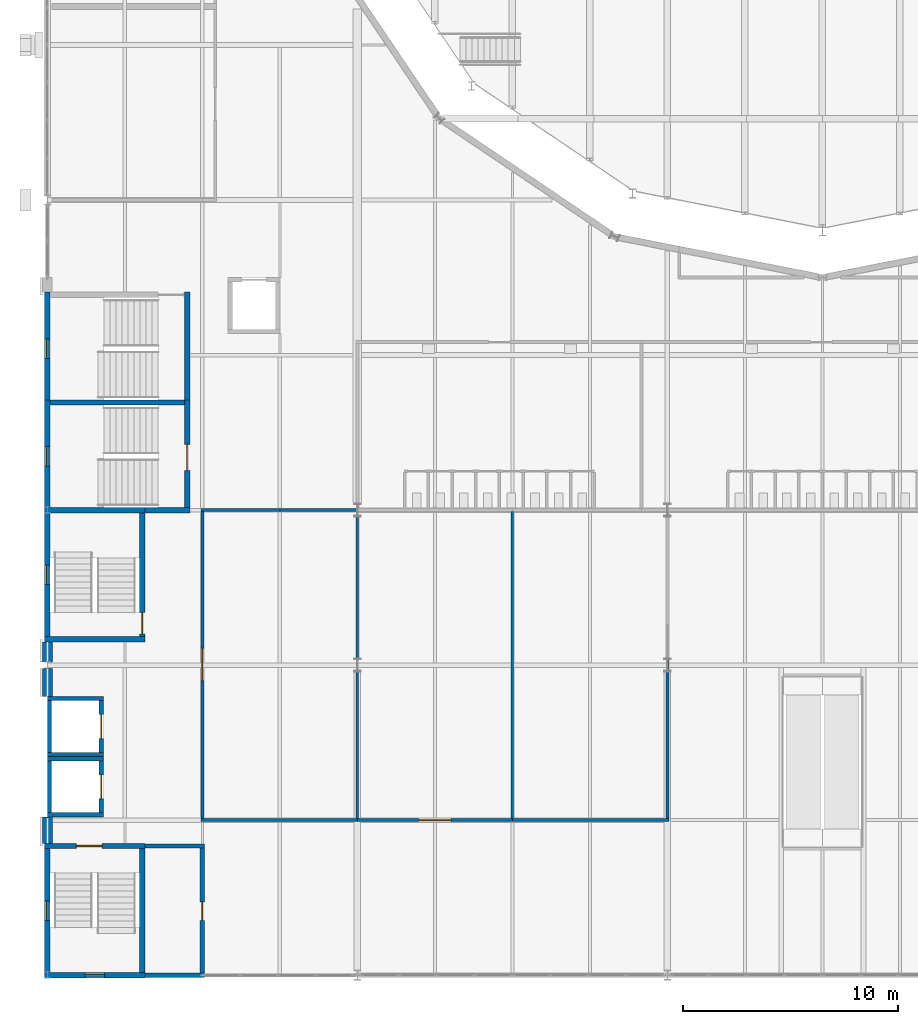
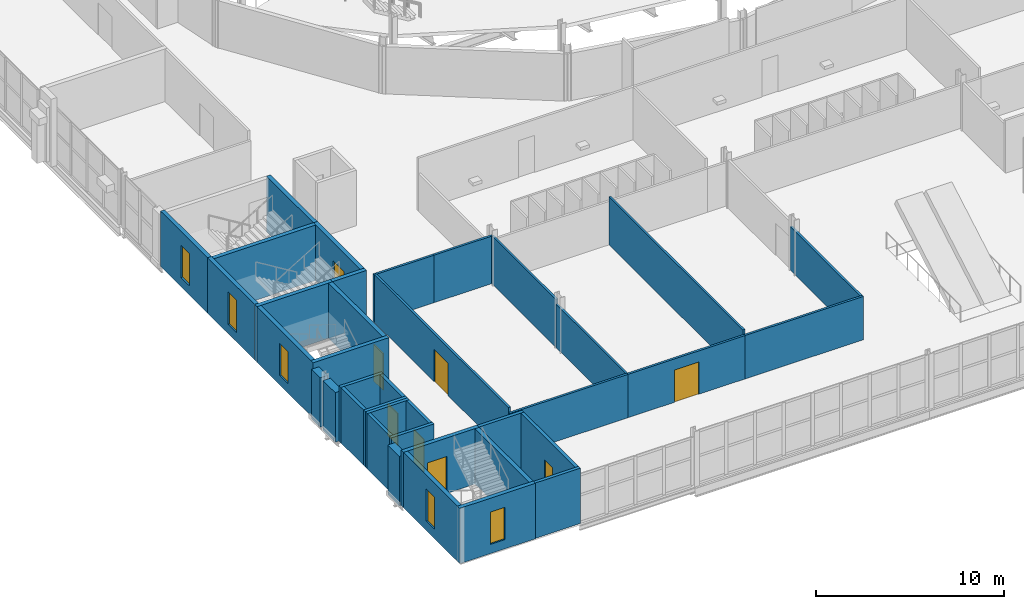
# One storey, part 63 of 124: 38 walls, 8 doors, 5 windows, 13 openings.
"""IFC4 building model written with IfcOpenShell, lengths in metres."""

from ifc_helpers import new_model, si_unit, direction, frame, frame_2d, origin, place, context, subcontext, project, spatial, rectangle, extrude, material, layer, layer_set, type_object, element, fill, save


model = new_model("IFC4")

# Units and contexts
model_context = context("Model", 3, precision=1e-05, world=origin(), true_north=direction((0.0, 1.0)))
body_context = subcontext(model_context, "Body", "Model", "MODEL_VIEW")
ifc_project = project(units=[si_unit("LENGTHUNIT", "METRE"), si_unit("AREAUNIT", "SQUARE_METRE"), si_unit("VOLUMEUNIT", "CUBIC_METRE"), si_unit("PLANEANGLEUNIT", "RADIAN"), si_unit("MASSUNIT", "GRAM", prefix="KILO")], contexts=[model_context])

# Site, building, storey
site_placement = place(None, origin())
site = spatial("IfcSite", under=ifc_project, at=site_placement, CompositionType="ELEMENT")
building_placement = place(site_placement, origin())
building = spatial("IfcBuilding", under=site, at=building_placement, Name="Kupolbacken Congress Centre", CompositionType="ELEMENT")
storey_placement = place(building_placement, frame((0.0, 0.0, 10.800048828125)))
storey = spatial("IfcBuildingStorey", under=building, at=storey_placement, Name="L03", CompositionType="ELEMENT", Elevation=10.800048828125)

# Walls
ifc_material_1 = material(Name="Concrete C40/50", Category="concrete")
ifc_layer_1 = layer(ifc_material_1, 0.1201171875)
ifc_material_2 = material(Name="Mineral wool", Category="insulation")
ifc_layer_2 = layer(ifc_material_2, 0.19189453125)
ifc_material_3 = material(Name="Air cavity", Category="air")
ifc_layer_3 = layer(ifc_material_3, 0.0400390625, ventilated=True)
ifc_material_4 = material(Name="Brick", Category="masonry")
ifc_layer_4 = layer(ifc_material_4, 0.10791015625)
ifc_layer_set_1 = layer_set([ifc_layer_1, ifc_layer_2, ifc_layer_3, ifc_layer_4], Name="Concrete C40/50 / Mineral wool / Brick")
wall_type_1 = type_object("IfcWallType", Name="EW06 external cavity wall 460", PredefinedType="SOLIDWALL", material=ifc_layer_set_1)
wall_1_placement = place(storey_placement, frame((7.199951171875, 44.27490234375, 0.0), z_axis=(0.0, 0.0, 1.0), x_axis=(0.0, -1.0, 0.0)))
element("IfcWall", 1, at=wall_1_placement, inside=storey, type_object=wall_type_1, Name="E/F/W/L03/339", PredefinedType="SOLIDWALL", context=body_context, shape_type="SweptSolid", body=[
    extrude(rectangle(XDim=0.9248046875, YDim=0.4599609375, at=frame_2d((0.46240234375, 0.0))), origin(), (0.0, 0.0, 1.0), 3.219970703125),
])
wall_2_placement = place(storey_placement, frame((7.199951171875, 43.050048828125, 0.0), z_axis=(0.0, 0.0, 1.0), x_axis=(0.0, -1.0, 0.0)))
element("IfcWall", 2, at=wall_2_placement, inside=storey, type_object=wall_type_1, Name="E/F/W/L03/340", PredefinedType="SOLIDWALL", context=body_context, shape_type="SweptSolid", body=[
    extrude(rectangle(XDim=1.300048828125, YDim=0.4599609375, at=frame_2d((0.64990234375, 0.0))), origin(), (0.0, 0.0, 1.0), 3.219970703125),
])
wall_3_placement = place(storey_placement, frame((7.199951171875, 36.14990234375, 0.0), z_axis=(0.0, 0.0, 1.0), x_axis=(0.0, -1.0, 0.0)))
element("IfcWall", 3, at=wall_3_placement, inside=storey, type_object=wall_type_1, Name="E/F/W/L03/341", PredefinedType="SOLIDWALL", context=body_context, shape_type="SweptSolid", body=[
    extrude(rectangle(XDim=1.224853515625, YDim=0.4599609375, at=frame_2d((0.6123046875, 0.0))), origin(), (0.0, 0.0, 1.0), 3.219970703125),
])
ifc_material_5 = material(Name="Operable acoustic wall panels", Category="metal")
ifc_layer_5 = layer(ifc_material_5, 0.1201171875)
ifc_layer_set_2 = layer_set([ifc_layer_5], Name="Operable acoustic wall panels")
wall_type_2 = type_object("IfcWallType", Name="MP2 movable partition 120", PredefinedType="MOVABLE", material=ifc_layer_set_2)
wall_4_placement = place(storey_placement, frame((21.60009765625, 50.33251953125, 0.0), z_axis=(0.0, 0.0, 1.0), x_axis=(0.0, -1.0, 0.0)))
element("IfcWall", 4, at=wall_4_placement, inside=storey, type_object=wall_type_2, Name="PD/L03/W025", PredefinedType="MOVABLE", context=body_context, shape_type="SweptSolid", body=[
    extrude(rectangle(XDim=6.83251953125, YDim=0.1201171875, at=frame_2d((3.416259765625, 0.0))), origin(), (0.0, 0.0, 1.0), 3.119873046875),
])
wall_5_placement = place(storey_placement, frame((28.800048828125, 50.33251953125, 0.0), z_axis=(0.0, 0.0, 1.0), x_axis=(0.0, -1.0, 0.0)))
element("IfcWall", 5, at=wall_5_placement, inside=storey, type_object=wall_type_2, Name="PD/L03/W027", PredefinedType="MOVABLE", context=body_context, shape_type="SweptSolid", body=[
    extrude(rectangle(XDim=14.26513671875, YDim=0.1201171875, at=frame_2d((7.132568359375, 0.0))), origin(), (0.0, 0.0, 1.0), 3.119873046875),
])
wall_6_placement = place(storey_placement, frame((21.60009765625, 43.5, 0.0), z_axis=(0.0, 0.0, 1.0), x_axis=(0.0, -1.0, 0.0)))
element("IfcWall", 6, at=wall_6_placement, inside=storey, type_object=wall_type_2, Name="PD/L03/W025.h1", PredefinedType="MOVABLE", context=body_context, shape_type="SweptSolid", body=[
    extrude(rectangle(XDim=7.4326171875, YDim=0.1201171875, at=frame_2d((3.71630859375, 0.0))), origin(), (0.0, 0.0, 1.0), 2.820068359375),
])

# Wall, opening, door
ifc_material_6 = material(Name="Gypsum board", Category="drywall")
ifc_layer_6 = layer(ifc_material_6, 0.135009765625)
ifc_layer_set_3 = layer_set([ifc_layer_6], Name="Gypsum board")
wall_type_3 = type_object("IfcWallType", Name="P06 compartment wall 135", PredefinedType="PARTITIONING", material=ifc_layer_set_3)
wall_7_placement = place(storey_placement, frame((14.39990234375, 50.33251953125, 0.0), z_axis=(0.0, 0.0, 1.0), x_axis=(0.0, -1.0, 0.0)))
wall_7 = element("IfcWall", 7, at=wall_7_placement, inside=storey, type_object=wall_type_3, Name="PD/L03/W001", PredefinedType="PARTITIONING", context=body_context, shape_type="SweptSolid", body=[
    extrude(rectangle(XDim=14.26513671875, YDim=0.135009765625, at=frame_2d((7.132568359375, 0.0))), origin(), (0.0, 0.0, 1.0), 3.119873046875),
])
opening_1_placement = place(wall_7_placement, frame((6.35009765625, 0.0, 0.0)))
opening_1 = element("IfcOpeningElement", 8, at=opening_1_placement, cuts=wall_7, Name="Opening 3.F07", PredefinedType="OPENING", context=body_context, shape_type="SweptSolid", body=[
    extrude(rectangle(XDim=1.5, YDim=2.10009765625, at=frame_2d((0.75, 1.050048828125))), frame((0.0, 0.077392578125, 0.0), z_axis=(0.0, -1.0, 0.0), x_axis=(1.0, 0.0, 0.0)), (0.0, 0.0, 1.0), 0.155029296875),
])
ifc_material_7 = material(Name="Steel fire door leaf", Category="steel")
door_type_1 = type_object("IfcDoorType", Name="D12 fire door 1500x2100", OperationType="DOUBLE_DOOR_SINGLE_SWING", PredefinedType="DOOR", material=ifc_material_7)
door_1_placement = place(opening_1_placement, frame((1.5, 0.0, 0.0), z_axis=(0.0, 0.0, 1.0), x_axis=(-1.0, 0.0, 0.0)))
door_1 = element("IfcDoor", 9, at=door_1_placement, inside=storey, type_object=door_type_1, Name="PD/L03/W001/D3F07", OperationType="DOUBLE_DOOR_SINGLE_SWING", OverallHeight=2.10009765625, OverallWidth=1.5, PredefinedType="DOOR", context=body_context, shape_type="SweptSolid", body=[
    extrude(rectangle(XDim=1.5, YDim=2.10009765625, at=frame_2d((0.75, 1.050048828125))), frame((0.0, 0.02490234375, 0.0), z_axis=(0.0, -1.0, 0.0), x_axis=(1.0, 0.0, 0.0)), (0.0, 0.0, 1.0), 0.050048828125),
])
fill(opening_1, door_1)

# Walls
wall_8_placement = place(storey_placement, frame((18.0, 50.39990234375, 0.0), z_axis=(0.0, 0.0, 1.0), x_axis=(-1.0, 0.0, 0.0)))
element("IfcWall", 10, at=wall_8_placement, inside=storey, type_object=wall_type_3, Name="PD/L03/W004", PredefinedType="PARTITIONING", context=body_context, shape_type="SweptSolid", body=[
    extrude(rectangle(XDim=3.66748046875, YDim=0.135009765625, at=frame_2d((1.833740234375, 0.0))), origin(), (0.0, 0.0, 1.0), 3.08984375),
])
wall_9_placement = place(storey_placement, frame((14.33251953125, 36.0, 0.0), z_axis=(0.0, 0.0, 1.0), x_axis=(1.0, 0.0, 0.0)))
element("IfcWall", 11, at=wall_9_placement, inside=storey, type_object=wall_type_3, Name="PD/L03/W019", PredefinedType="PARTITIONING", context=body_context, shape_type="SweptSolid", body=[
    extrude(rectangle(XDim=7.267578125, YDim=0.135009765625, at=frame_2d((3.6337890625, 0.0))), origin(), (0.0, 0.0, 1.0), 2.820068359375),
])

# Wall, opening, door
wall_10_placement = place(storey_placement, frame((21.60009765625, 36.0, 0.0), z_axis=(0.0, 0.0, 1.0), x_axis=(1.0, 0.0, 0.0)))
wall_10 = element("IfcWall", 12, at=wall_10_placement, inside=storey, type_object=wall_type_3, Name="PD/L03/W020", PredefinedType="PARTITIONING", context=body_context, shape_type="SweptSolid", body=[
    extrude(rectangle(XDim=7.199951171875, YDim=0.135009765625, at=frame_2d((3.60009765625, 0.0))), origin(), (0.0, 0.0, 1.0), 2.820068359375),
])
opening_2_placement = place(wall_10_placement, frame((2.85009765625, 0.0, 0.0)))
opening_2 = element("IfcOpeningElement", 13, at=opening_2_placement, cuts=wall_10, Name="Opening 3.F08", PredefinedType="OPENING", context=body_context, shape_type="SweptSolid", body=[
    extrude(rectangle(XDim=1.5, YDim=2.10009765625, at=frame_2d((0.75, 1.050048828125))), frame((0.0, 0.077392578125, 0.0), z_axis=(0.0, -1.0, 0.0), x_axis=(1.0, 0.0, 0.0)), (0.0, 0.0, 1.0), 0.155029296875),
])
door_2_placement = place(opening_2_placement, frame((1.5, 0.0, 0.0), z_axis=(0.0, 0.0, 1.0), x_axis=(-1.0, 0.0, 0.0)))
door_2 = element("IfcDoor", 14, at=door_2_placement, inside=storey, type_object=door_type_1, Name="PD/L03/W020/D3F08", OperationType="DOUBLE_DOOR_SINGLE_SWING", OverallHeight=2.10009765625, OverallWidth=1.5, PredefinedType="DOOR", context=body_context, shape_type="SweptSolid", body=[
    extrude(rectangle(XDim=1.5, YDim=2.10009765625, at=frame_2d((0.75, 1.050048828125))), frame((0.0, 0.02490234375, 0.0), z_axis=(0.0, -1.0, 0.0), x_axis=(1.0, 0.0, 0.0)), (0.0, 0.0, 1.0), 0.050048828125),
])
fill(opening_2, door_2)

# Walls
wall_11_placement = place(storey_placement, frame((28.800048828125, 36.0, 0.0), z_axis=(0.0, 0.0, 1.0), x_axis=(1.0, 0.0, 0.0)))
element("IfcWall", 15, at=wall_11_placement, inside=storey, type_object=wall_type_3, Name="PD/L03/W021", PredefinedType="PARTITIONING", context=body_context, shape_type="SweptSolid", body=[
    extrude(rectangle(XDim=7.267333984375, YDim=0.135009765625, at=frame_2d((3.6337890625, 0.0))), origin(), (0.0, 0.0, 1.0), 2.820068359375),
])
wall_12_placement = place(storey_placement, frame((18.0, 50.39990234375, 0.0), z_axis=(0.0, 0.0, 1.0), x_axis=(1.0, 0.0, 0.0)))
element("IfcWall", 16, at=wall_12_placement, inside=storey, type_object=wall_type_3, Name="PD/L03/W026", PredefinedType="PARTITIONING", context=body_context, shape_type="SweptSolid", body=[
    extrude(rectangle(XDim=3.60009765625, YDim=0.135009765625, at=frame_2d((1.800048828125, 0.0))), origin(), (0.0, 0.0, 1.0), 3.08984375),
])
wall_13_placement = place(storey_placement, frame((36.0, 43.5, 0.0), z_axis=(0.0, 0.0, 1.0), x_axis=(0.0, -1.0, 0.0)))
element("IfcWall", 17, at=wall_13_placement, inside=storey, type_object=wall_type_3, Name="PD/L03/W029.h1", PredefinedType="PARTITIONING", context=body_context, shape_type="SweptSolid", body=[
    extrude(rectangle(XDim=7.4326171875, YDim=0.135009765625, at=frame_2d((3.71630859375, 0.0))), origin(), (0.0, 0.0, 1.0), 2.820068359375),
])
ifc_material_8 = material(Name="Concrete C40/50", Category="concrete")
ifc_layer_7 = layer(ifc_material_8, 0.199951171875)
ifc_layer_set_4 = layer_set([ifc_layer_7], Name="Concrete C40/50")
wall_type_4 = type_object("IfcWallType", Name="WC1 RC shaft wall 200", PredefinedType="SHEAR", material=ifc_layer_set_4)
wall_14_placement = place(storey_placement, frame((11.72509765625, 28.800048828125, 0.0), z_axis=(0.0, 0.0, 1.0), x_axis=(1.0, 0.0, 0.0)))
element("IfcWall", 18, at=wall_14_placement, inside=storey, type_object=wall_type_4, Name="Shaft wall L03-001", PredefinedType="SHEAR", context=body_context, shape_type="SweptSolid", body=[
    extrude(rectangle(XDim=2.77490234375, YDim=0.199951171875, at=frame_2d((1.387451171875, 0.0))), origin(), (0.0, 0.0, 1.0), 3.599853515625),
])

# Wall, opening, door
wall_15_placement = place(storey_placement, frame((14.39990234375, 28.699951171875, 0.0), z_axis=(0.0, 0.0, 1.0), x_axis=(0.0, 1.0, 0.0)))
wall_15 = element("IfcWall", 19, at=wall_15_placement, inside=storey, type_object=wall_type_4, Name="Shaft wall L03-003", PredefinedType="SHEAR", context=body_context, shape_type="SweptSolid", body=[
    extrude(rectangle(XDim=6.199951171875, YDim=0.199951171875, at=frame_2d((3.10009765625, 0.0))), origin(), (0.0, 0.0, 1.0), 3.599853515625),
])
opening_3_placement = place(wall_15_placement, frame((2.64990234375, 0.0, 0.0)))
opening_3 = element("IfcOpeningElement", 20, at=opening_3_placement, cuts=wall_15, Name="Opening 3.F03", PredefinedType="OPENING", context=body_context, shape_type="SweptSolid", body=[
    extrude(rectangle(XDim=0.85009765625, YDim=2.10009765625, at=frame_2d((0.425048828125, 1.050048828125))), frame((0.0, 0.10986328125, 0.0), z_axis=(0.0, -1.0, 0.0), x_axis=(1.0, 0.0, 0.0)), (0.0, 0.0, 1.0), 0.219970703125),
])
ifc_material_9 = material(Name="Steel fire door leaf", Category="steel")
door_type_2 = type_object("IfcDoorType", Name="D3 fire door 850x2100", OperationType="SINGLE_SWING_LEFT", PredefinedType="DOOR", material=ifc_material_9)
door_3_placement = place(opening_3_placement, origin())
door_3 = element("IfcDoor", 21, at=door_3_placement, inside=storey, type_object=door_type_2, Name="S/core/L03/003/D3F03", OperationType="SINGLE_SWING_RIGHT", OverallHeight=2.10009765625, OverallWidth=0.85009765625, PredefinedType="DOOR", context=body_context, shape_type="SweptSolid", body=[
    extrude(rectangle(XDim=0.85009765625, YDim=2.10009765625, at=frame_2d((0.425048828125, 1.050048828125))), frame((0.0, 0.02490234375, 0.0), z_axis=(0.0, -1.0, 0.0), x_axis=(1.0, 0.0, 0.0)), (0.0, 0.0, 1.0), 0.050048828125),
])
fill(opening_3, door_3)

# Walls
wall_16_placement = place(storey_placement, frame((14.5, 34.800048828125, 0.0), z_axis=(0.0, 0.0, 1.0), x_axis=(-1.0, 0.0, 0.0)))
element("IfcWall", 22, at=wall_16_placement, inside=storey, type_object=wall_type_4, Name="Shaft wall L03-009", PredefinedType="SHEAR", context=body_context, shape_type="SweptSolid", body=[
    extrude(rectangle(XDim=2.77490234375, YDim=0.199951171875, at=frame_2d((1.387451171875, 0.0))), origin(), (0.0, 0.0, 1.0), 3.599853515625),
])
for number, where, z_axis, x_axis, name in (
    (23, (7.199951171875, 36.25, 0.0), (0.0, 0.0, 1.0), (1.0, 0.0, 0.0), "Shaft wall LP1"),
    (24, (7.199951171875, 38.85009765625, 0.0), (0.0, 0.0, 1.0), (1.0, 0.0, 0.0), "Shaft wall LP1"),
):
    element("IfcWall", number, at=place(storey_placement, frame(where, z_axis=z_axis, x_axis=x_axis)), inside=storey, type_object=wall_type_4, Name=name, PredefinedType="SHEAR", context=body_context, shape_type="SweptSolid", body=[
        extrude(rectangle(XDim=2.60009765625, YDim=0.199951171875, at=frame_2d((1.300048828125, 0.0))), origin(), (0.0, 0.0, 1.0), 3.599853515625),
    ])
wall_17_placement = place(storey_placement, frame((7.300048828125, 36.35009765625, 0.0), z_axis=(0.0, 0.0, 1.0), x_axis=(0.0, 1.0, 0.0)))
element("IfcWall", 25, at=wall_17_placement, inside=storey, type_object=wall_type_4, Name="Shaft wall LP1", PredefinedType="SHEAR", context=body_context, shape_type="SweptSolid", body=[
    extrude(rectangle(XDim=2.39990234375, YDim=0.199951171875, at=frame_2d((1.199951171875, 0.0))), origin(), (0.0, 0.0, 1.0), 3.599853515625),
])

# Wall, opening, door
wall_18_placement = place(storey_placement, frame((9.699951171875, 36.35009765625, 0.0), z_axis=(0.0, 0.0, 1.0), x_axis=(0.0, 1.0, 0.0)))
wall_18 = element("IfcWall", 26, at=wall_18_placement, inside=storey, type_object=wall_type_4, Name="Shaft wall LP1", PredefinedType="SHEAR", context=body_context, shape_type="SweptSolid", body=[
    extrude(rectangle(XDim=2.39990234375, YDim=0.199951171875, at=frame_2d((1.199951171875, 0.0))), origin(), (0.0, 0.0, 1.0), 3.599853515625),
])
opening_4_placement = place(wall_18_placement, frame((0.64990234375, 0.0, 0.0)))
opening_4 = element("IfcOpeningElement", 27, at=opening_4_placement, cuts=wall_18, Name="Opening LD2", PredefinedType="OPENING", context=body_context, shape_type="SweptSolid", body=[
    extrude(rectangle(XDim=1.10009765625, YDim=2.10009765625, at=frame_2d((0.550048828125, 1.050048828125))), frame((0.0, 0.10986328125, 0.0), z_axis=(0.0, -1.0, 0.0), x_axis=(1.0, 0.0, 0.0)), (0.0, 0.0, 1.0), 0.219970703125),
])
ifc_material_10 = material(Name="Stainless steel door leaf", Category="steel")
door_type_3 = type_object("IfcDoorType", Name="LD2 lift landing door 1100x2100", OperationType="SLIDING_TO_LEFT", PredefinedType="DOOR", material=ifc_material_10)
door_4_placement = place(opening_4_placement, origin())
door_4 = element("IfcDoor", 28, at=door_4_placement, inside=storey, type_object=door_type_3, Name="Lift landing door LP1", OperationType="SLIDING_TO_LEFT", OverallHeight=2.10009765625, OverallWidth=1.10009765625, PredefinedType="DOOR", context=body_context, shape_type="SweptSolid", body=[
    extrude(rectangle(XDim=1.10009765625, YDim=2.10009765625, at=frame_2d((0.550048828125, 1.050048828125))), frame((0.0, 0.02490234375, 0.0), z_axis=(0.0, -1.0, 0.0), x_axis=(1.0, 0.0, 0.0)), (0.0, 0.0, 1.0), 0.050048828125),
])
fill(opening_4, door_4)

# Walls
for number, where, z_axis, x_axis, name in (
    (29, (7.199951171875, 39.050048828125, 0.0), (0.0, 0.0, 1.0), (1.0, 0.0, 0.0), "Shaft wall LP2"),
    (30, (7.199951171875, 41.64990234375, 0.0), (0.0, 0.0, 1.0), (1.0, 0.0, 0.0), "Shaft wall LP2"),
):
    element("IfcWall", number, at=place(storey_placement, frame(where, z_axis=z_axis, x_axis=x_axis)), inside=storey, type_object=wall_type_4, Name=name, PredefinedType="SHEAR", context=body_context, shape_type="SweptSolid", body=[
        extrude(rectangle(XDim=2.60009765625, YDim=0.199951171875, at=frame_2d((1.300048828125, 0.0))), origin(), (0.0, 0.0, 1.0), 3.599853515625),
    ])
wall_19_placement = place(storey_placement, frame((7.300048828125, 39.14990234375, 0.0), z_axis=(0.0, 0.0, 1.0), x_axis=(0.0, 1.0, 0.0)))
element("IfcWall", 31, at=wall_19_placement, inside=storey, type_object=wall_type_4, Name="Shaft wall LP2", PredefinedType="SHEAR", context=body_context, shape_type="SweptSolid", body=[
    extrude(rectangle(XDim=2.400146484375, YDim=0.199951171875, at=frame_2d((1.2001953125, 0.0))), origin(), (0.0, 0.0, 1.0), 3.599853515625),
])

# Wall, opening, door
wall_20_placement = place(storey_placement, frame((9.699951171875, 39.14990234375, 0.0), z_axis=(0.0, 0.0, 1.0), x_axis=(0.0, 1.0, 0.0)))
wall_20 = element("IfcWall", 32, at=wall_20_placement, inside=storey, type_object=wall_type_4, Name="Shaft wall LP2", PredefinedType="SHEAR", context=body_context, shape_type="SweptSolid", body=[
    extrude(rectangle(XDim=2.400146484375, YDim=0.199951171875, at=frame_2d((1.2001953125, 0.0))), origin(), (0.0, 0.0, 1.0), 3.599853515625),
])
opening_5_placement = place(wall_20_placement, frame((0.64990234375, 0.0, 0.0)))
opening_5 = element("IfcOpeningElement", 33, at=opening_5_placement, cuts=wall_20, Name="Opening LD2", PredefinedType="OPENING", context=body_context, shape_type="SweptSolid", body=[
    extrude(rectangle(XDim=1.10009765625, YDim=2.10009765625, at=frame_2d((0.550048828125, 1.050048828125))), frame((0.0, 0.10986328125, 0.0), z_axis=(0.0, -1.0, 0.0), x_axis=(1.0, 0.0, 0.0)), (0.0, 0.0, 1.0), 0.219970703125),
])
door_5_placement = place(opening_5_placement, origin())
door_5 = element("IfcDoor", 34, at=door_5_placement, inside=storey, type_object=door_type_3, Name="Lift landing door LP2", OperationType="SLIDING_TO_LEFT", OverallHeight=2.10009765625, OverallWidth=1.10009765625, PredefinedType="DOOR", context=body_context, shape_type="SweptSolid", body=[
    extrude(rectangle(XDim=1.10009765625, YDim=2.10009765625, at=frame_2d((0.550048828125, 1.050048828125))), frame((0.0, 0.02490234375, 0.0), z_axis=(0.0, -1.0, 0.0), x_axis=(1.0, 0.0, 0.0)), (0.0, 0.0, 1.0), 0.050048828125),
])
fill(opening_5, door_5)

# Wall, opening, window
ifc_material_11 = material(Name="Concrete C40/50", Category="concrete")
ifc_layer_8 = layer(ifc_material_11, 0.25)
ifc_layer_set_5 = layer_set([ifc_layer_8], Name="Concrete C40/50")
wall_type_5 = type_object("IfcWallType", Name="WC2 RC stair enclosure wall 250", PredefinedType="SHEAR", material=ifc_layer_set_5)
wall_21_placement = place(storey_placement, frame((7.074951171875, 28.800048828125, 0.0), z_axis=(0.0, 0.0, 1.0), x_axis=(1.0, 0.0, 0.0)))
wall_21 = element("IfcWall", 35, at=wall_21_placement, inside=storey, type_object=wall_type_5, Name="Stair enclosure wall L03-000", PredefinedType="SHEAR", context=body_context, shape_type="SweptSolid", body=[
    extrude(rectangle(XDim=4.650146484375, YDim=0.25, at=frame_2d((2.3251953125, 0.0))), origin(), (0.0, 0.0, 1.0), 3.599853515625),
])
opening_6_placement = place(wall_21_placement, frame((1.875, 0.0, 0.60009765625)))
opening_6 = element("IfcOpeningElement", 36, at=opening_6_placement, cuts=wall_21, Name="Opening W28", PredefinedType="OPENING", context=body_context, shape_type="SweptSolid", body=[
    extrude(rectangle(XDim=0.89990234375, YDim=2.10009765625, at=frame_2d((0.449951171875, 1.050048828125))), frame((0.0, 0.135009765625, 0.0), z_axis=(0.0, -1.0, 0.0), x_axis=(1.0, 0.0, 0.0)), (0.0, 0.0, 1.0), 0.27001953125),
])
ifc_material_12 = material(Name="Aluminium frame with double or triple glazing", Category="aluminium")
window_type = type_object("IfcWindowType", Name="W28 window 900x2100", PartitioningType="SINGLE_PANEL", PredefinedType="WINDOW", material=ifc_material_12)
window_1_placement = place(opening_6_placement, origin())
window_1 = element("IfcWindow", 37, at=window_1_placement, inside=storey, type_object=window_type, Name="S/core/L03/000/W1/L03", OverallHeight=2.10009765625, OverallWidth=0.89990234375, PartitioningType="SINGLE_PANEL", PredefinedType="WINDOW", context=body_context, shape_type="SweptSolid", body=[
    extrude(rectangle(XDim=0.89990234375, YDim=2.10009765625, at=frame_2d((0.449951171875, 1.050048828125))), frame((0.0, 0.030029296875, 0.0), z_axis=(0.0, -1.0, 0.0), x_axis=(1.0, 0.0, 0.0)), (0.0, 0.0, 1.0), 0.06005859375),
])
fill(opening_6, window_1)

# Wall
wall_22_placement = place(storey_placement, frame((11.60009765625, 28.675048828125, 0.0), z_axis=(0.0, 0.0, 1.0), x_axis=(0.0, 1.0, 0.0)))
element("IfcWall", 38, at=wall_22_placement, inside=storey, type_object=wall_type_5, Name="Stair enclosure wall L03-002", PredefinedType="SHEAR", context=body_context, shape_type="SweptSolid", body=[
    extrude(rectangle(XDim=6.25, YDim=0.25, at=frame_2d((3.125, 0.0))), origin(), (0.0, 0.0, 1.0), 3.599853515625),
])

# Wall, opening, window
wall_23_placement = place(storey_placement, frame((7.199951171875, 34.925048828125, 0.0), z_axis=(0.0, 0.0, 1.0), x_axis=(0.0, -1.0, 0.0)))
wall_23 = element("IfcWall", 39, at=wall_23_placement, inside=storey, type_object=wall_type_5, Name="Stair enclosure wall L03-007", PredefinedType="SHEAR", context=body_context, shape_type="SweptSolid", body=[
    extrude(rectangle(XDim=6.25, YDim=0.25, at=frame_2d((3.125, 0.0))), origin(), (0.0, 0.0, 1.0), 3.599853515625),
])
opening_7_placement = place(wall_23_placement, frame((2.675048828125, 0.0, 0.60009765625)))
opening_7 = element("IfcOpeningElement", 40, at=opening_7_placement, cuts=wall_23, Name="Opening W28", PredefinedType="OPENING", context=body_context, shape_type="SweptSolid", body=[
    extrude(rectangle(XDim=0.89990234375, YDim=2.10009765625, at=frame_2d((0.449951171875, 1.050048828125))), frame((0.0, 0.135009765625, 0.0), z_axis=(0.0, -1.0, 0.0), x_axis=(1.0, 0.0, 0.0)), (0.0, 0.0, 1.0), 0.27001953125),
])
window_2_placement = place(opening_7_placement, origin())
window_2 = element("IfcWindow", 41, at=window_2_placement, inside=storey, type_object=window_type, Name="S/core/L03/007/W1/L03", OverallHeight=2.10009765625, OverallWidth=0.89990234375, PartitioningType="SINGLE_PANEL", PredefinedType="WINDOW", context=body_context, shape_type="SweptSolid", body=[
    extrude(rectangle(XDim=0.89990234375, YDim=2.10009765625, at=frame_2d((0.449951171875, 1.050048828125))), frame((0.0, 0.030029296875, 0.0), z_axis=(0.0, -1.0, 0.0), x_axis=(1.0, 0.0, 0.0)), (0.0, 0.0, 1.0), 0.06005859375),
])
fill(opening_7, window_2)

# Wall, opening, door
wall_24_placement = place(storey_placement, frame((11.72509765625, 34.800048828125, 0.0), z_axis=(0.0, 0.0, 1.0), x_axis=(-1.0, 0.0, 0.0)))
wall_24 = element("IfcWall", 42, at=wall_24_placement, inside=storey, type_object=wall_type_5, Name="Stair enclosure wall L03-008", PredefinedType="SHEAR", context=body_context, shape_type="SweptSolid", body=[
    extrude(rectangle(XDim=4.650146484375, YDim=0.25, at=frame_2d((2.3251953125, 0.0))), origin(), (0.0, 0.0, 1.0), 3.599853515625),
])
opening_8_placement = place(wall_24_placement, frame((1.97509765625, 0.0, 0.0)))
opening_8 = element("IfcOpeningElement", 43, at=opening_8_placement, cuts=wall_24, Name="Opening 3.F01", PredefinedType="OPENING", context=body_context, shape_type="SweptSolid", body=[
    extrude(rectangle(XDim=1.199951171875, YDim=2.39990234375, at=frame_2d((0.60009765625, 1.199951171875))), frame((0.0, 0.135009765625, 0.0), z_axis=(0.0, -1.0, 0.0), x_axis=(1.0, 0.0, 0.0)), (0.0, 0.0, 1.0), 0.27001953125),
])
ifc_material_13 = material(Name="Steel fire door leaf", Category="steel")
door_type_4 = type_object("IfcDoorType", Name="D9 fire door 1200x2400", OperationType="SINGLE_SWING_LEFT", PredefinedType="DOOR", material=ifc_material_13)
door_6_placement = place(opening_8_placement, origin())
door_6 = element("IfcDoor", 44, at=door_6_placement, inside=storey, type_object=door_type_4, Name="S/core/L03/008/D3F01", OperationType="SINGLE_SWING_LEFT", OverallHeight=2.39990234375, OverallWidth=1.199951171875, PredefinedType="DOOR", context=body_context, shape_type="SweptSolid", body=[
    extrude(rectangle(XDim=1.199951171875, YDim=2.39990234375, at=frame_2d((0.60009765625, 1.199951171875))), frame((0.0, 0.02490234375, 0.0), z_axis=(0.0, -1.0, 0.0), x_axis=(1.0, 0.0, 0.0)), (0.0, 0.0, 1.0), 0.050048828125),
])
fill(opening_8, door_6)

# Wall
wall_25_placement = place(storey_placement, frame((7.074951171875, 44.39990234375, 0.0), z_axis=(0.0, 0.0, 1.0), x_axis=(1.0, 0.0, 0.0)))
element("IfcWall", 45, at=wall_25_placement, inside=storey, type_object=wall_type_5, Name="Stair enclosure wall L03-014", PredefinedType="SHEAR", context=body_context, shape_type="SweptSolid", body=[
    extrude(rectangle(XDim=4.650146484375, YDim=0.25, at=frame_2d((2.3251953125, 0.0))), origin(), (0.0, 0.0, 1.0), 3.599853515625),
])

# Wall, opening, door
wall_26_placement = place(storey_placement, frame((11.60009765625, 44.27490234375, 0.0), z_axis=(0.0, 0.0, 1.0), x_axis=(0.0, 1.0, 0.0)))
wall_26 = element("IfcWall", 46, at=wall_26_placement, inside=storey, type_object=wall_type_5, Name="Stair enclosure wall L03-015", PredefinedType="SHEAR", context=body_context, shape_type="SweptSolid", body=[
    extrude(rectangle(XDim=6.25, YDim=0.25, at=frame_2d((3.125, 0.0))), origin(), (0.0, 0.0, 1.0), 3.599853515625),
])
opening_9_placement = place(wall_26_placement, frame((0.375, 0.0, 0.0)))
opening_9 = element("IfcOpeningElement", 47, at=opening_9_placement, cuts=wall_26, Name="Opening 3.F02", PredefinedType="OPENING", context=body_context, shape_type="SweptSolid", body=[
    extrude(rectangle(XDim=1.0, YDim=2.39990234375, at=frame_2d((0.5, 1.199951171875))), frame((0.0, 0.135009765625, 0.0), z_axis=(0.0, -1.0, 0.0), x_axis=(1.0, 0.0, 0.0)), (0.0, 0.0, 1.0), 0.27001953125),
])
ifc_material_14 = material(Name="Steel fire door leaf", Category="steel")
door_type_5 = type_object("IfcDoorType", Name="D8 fire door 1000x2400", OperationType="SINGLE_SWING_LEFT", PredefinedType="DOOR", material=ifc_material_14)
door_7_placement = place(opening_9_placement, origin())
door_7 = element("IfcDoor", 48, at=door_7_placement, inside=storey, type_object=door_type_5, Name="S/core/L03/015/D3F02", OperationType="SINGLE_SWING_RIGHT", OverallHeight=2.39990234375, OverallWidth=1.0, PredefinedType="DOOR", context=body_context, shape_type="SweptSolid", body=[
    extrude(rectangle(XDim=1.0, YDim=2.39990234375, at=frame_2d((0.5, 1.199951171875))), frame((0.0, 0.02490234375, 0.0), z_axis=(0.0, -1.0, 0.0), x_axis=(1.0, 0.0, 0.0)), (0.0, 0.0, 1.0), 0.050048828125),
])
fill(opening_9, door_7)

# Wall, opening, window
wall_27_placement = place(storey_placement, frame((7.199951171875, 50.52490234375, 0.0), z_axis=(0.0, 0.0, 1.0), x_axis=(0.0, -1.0, 0.0)))
wall_27 = element("IfcWall", 49, at=wall_27_placement, inside=storey, type_object=wall_type_5, Name="Stair enclosure wall L03-023", PredefinedType="SHEAR", context=body_context, shape_type="SweptSolid", body=[
    extrude(rectangle(XDim=6.25, YDim=0.25, at=frame_2d((3.125, 0.0))), origin(), (0.0, 0.0, 1.0), 3.599853515625),
])
opening_10_placement = place(wall_27_placement, frame((2.675048828125, 0.0, 0.60009765625)))
opening_10 = element("IfcOpeningElement", 50, at=opening_10_placement, cuts=wall_27, Name="Opening W28", PredefinedType="OPENING", context=body_context, shape_type="SweptSolid", body=[
    extrude(rectangle(XDim=0.89990234375, YDim=2.10009765625, at=frame_2d((0.449951171875, 1.050048828125))), frame((0.0, 0.135009765625, 0.0), z_axis=(0.0, -1.0, 0.0), x_axis=(1.0, 0.0, 0.0)), (0.0, 0.0, 1.0), 0.27001953125),
])
window_3_placement = place(opening_10_placement, origin())
window_3 = element("IfcWindow", 51, at=window_3_placement, inside=storey, type_object=window_type, Name="S/core/L03/023/W1/L03", OverallHeight=2.10009765625, OverallWidth=0.89990234375, PartitioningType="SINGLE_PANEL", PredefinedType="WINDOW", context=body_context, shape_type="SweptSolid", body=[
    extrude(rectangle(XDim=0.89990234375, YDim=2.10009765625, at=frame_2d((0.449951171875, 1.050048828125))), frame((0.0, 0.030029296875, 0.0), z_axis=(0.0, -1.0, 0.0), x_axis=(1.0, 0.0, 0.0)), (0.0, 0.0, 1.0), 0.06005859375),
])
fill(opening_10, window_3)

# Walls
wall_28_placement = place(storey_placement, frame((11.72509765625, 50.39990234375, 0.0), z_axis=(0.0, 0.0, 1.0), x_axis=(-1.0, 0.0, 0.0)))
element("IfcWall", 52, at=wall_28_placement, inside=storey, type_object=wall_type_5, Name="Stair enclosure wall L03-024", PredefinedType="SHEAR", context=body_context, shape_type="SweptSolid", body=[
    extrude(rectangle(XDim=4.650146484375, YDim=0.25, at=frame_2d((2.3251953125, 0.0))), origin(), (0.0, 0.0, 1.0), 3.599853515625),
])
wall_29_placement = place(storey_placement, frame((11.72509765625, 50.39990234375, 0.0), z_axis=(0.0, 0.0, 1.0), x_axis=(1.0, 0.0, 0.0)))
element("IfcWall", 53, at=wall_29_placement, inside=storey, type_object=wall_type_5, Name="Stair enclosure wall L03-025", PredefinedType="SHEAR", context=body_context, shape_type="SweptSolid", body=[
    extrude(rectangle(XDim=2.099853515625, YDim=0.25, at=frame_2d((1.0498046875, 0.0))), origin(), (0.0, 0.0, 1.0), 3.599853515625),
])

# Wall, opening, door
wall_30_placement = place(storey_placement, frame((13.699951171875, 50.27490234375, 0.0), z_axis=(0.0, 0.0, 1.0), x_axis=(0.0, 1.0, 0.0)))
wall_30 = element("IfcWall", 54, at=wall_30_placement, inside=storey, type_object=wall_type_5, Name="Stair enclosure wall L03-026", PredefinedType="SHEAR", context=body_context, shape_type="SweptSolid", body=[
    extrude(rectangle(XDim=5.25, YDim=0.25, at=frame_2d((2.625, 0.0))), origin(), (0.0, 0.0, 1.0), 3.599853515625),
])
opening_11_placement = place(wall_30_placement, frame((1.97509765625, 0.0, 0.0)))
opening_11 = element("IfcOpeningElement", 55, at=opening_11_placement, cuts=wall_30, Name="Opening 3.P01", PredefinedType="OPENING", context=body_context, shape_type="SweptSolid", body=[
    extrude(rectangle(XDim=1.199951171875, YDim=2.39990234375, at=frame_2d((0.60009765625, 1.199951171875))), frame((0.0, 0.135009765625, 0.0), z_axis=(0.0, -1.0, 0.0), x_axis=(1.0, 0.0, 0.0)), (0.0, 0.0, 1.0), 0.27001953125),
])
door_8_placement = place(opening_11_placement, origin())
door_8 = element("IfcDoor", 56, at=door_8_placement, inside=storey, type_object=door_type_4, Name="S/core/L03/026/D3P01", OperationType="SINGLE_SWING_RIGHT", OverallHeight=2.39990234375, OverallWidth=1.199951171875, PredefinedType="DOOR", context=body_context, shape_type="SweptSolid", body=[
    extrude(rectangle(XDim=1.199951171875, YDim=2.39990234375, at=frame_2d((0.60009765625, 1.199951171875))), frame((0.0, 0.02490234375, 0.0), z_axis=(0.0, -1.0, 0.0), x_axis=(1.0, 0.0, 0.0)), (0.0, 0.0, 1.0), 0.050048828125),
])
fill(opening_11, door_8)

# Wall, opening, window
wall_31_placement = place(storey_placement, frame((7.199951171875, 55.52490234375, 0.0), z_axis=(0.0, 0.0, 1.0), x_axis=(0.0, -1.0, 0.0)))
wall_31 = element("IfcWall", 57, at=wall_31_placement, inside=storey, type_object=wall_type_5, Name="Stair enclosure wall L03-034", PredefinedType="SHEAR", context=body_context, shape_type="SweptSolid", body=[
    extrude(rectangle(XDim=5.0, YDim=0.25, at=frame_2d((2.5, 0.0))), origin(), (0.0, 0.0, 1.0), 3.599853515625),
])
opening_12_placement = place(wall_31_placement, frame((2.175048828125, 0.0, 0.60009765625)))
opening_12 = element("IfcOpeningElement", 58, at=opening_12_placement, cuts=wall_31, Name="Opening W28", PredefinedType="OPENING", context=body_context, shape_type="SweptSolid", body=[
    extrude(rectangle(XDim=0.89990234375, YDim=2.10009765625, at=frame_2d((0.449951171875, 1.050048828125))), frame((0.0, 0.135009765625, 0.0), z_axis=(0.0, -1.0, 0.0), x_axis=(1.0, 0.0, 0.0)), (0.0, 0.0, 1.0), 0.27001953125),
])
window_4_placement = place(opening_12_placement, origin())
window_4 = element("IfcWindow", 59, at=window_4_placement, inside=storey, type_object=window_type, Name="S/core/L03/034/W1/L03", OverallHeight=2.10009765625, OverallWidth=0.89990234375, PartitioningType="SINGLE_PANEL", PredefinedType="WINDOW", context=body_context, shape_type="SweptSolid", body=[
    extrude(rectangle(XDim=0.89990234375, YDim=2.10009765625, at=frame_2d((0.449951171875, 1.050048828125))), frame((0.0, 0.030029296875, 0.0), z_axis=(0.0, -1.0, 0.0), x_axis=(1.0, 0.0, 0.0)), (0.0, 0.0, 1.0), 0.06005859375),
])
fill(opening_12, window_4)

# Walls
wall_32_placement = place(storey_placement, frame((13.824951171875, 55.39990234375, 0.0), z_axis=(0.0, 0.0, 1.0), x_axis=(-1.0, 0.0, 0.0)))
element("IfcWall", 60, at=wall_32_placement, inside=storey, type_object=wall_type_5, Name="Stair enclosure wall L03-035", PredefinedType="SHEAR", context=body_context, shape_type="SweptSolid", body=[
    extrude(rectangle(XDim=6.75, YDim=0.25, at=frame_2d((3.375, 0.0))), origin(), (0.0, 0.0, 1.0), 3.599853515625),
])
wall_33_placement = place(storey_placement, frame((13.699951171875, 55.52490234375, 0.0), z_axis=(0.0, 0.0, 1.0), x_axis=(0.0, 1.0, 0.0)))
element("IfcWall", 61, at=wall_33_placement, inside=storey, type_object=wall_type_5, Name="Stair enclosure wall L03-036", PredefinedType="SHEAR", context=body_context, shape_type="SweptSolid", body=[
    extrude(rectangle(XDim=5.0, YDim=0.25, at=frame_2d((2.5, 0.0))), origin(), (0.0, 0.0, 1.0), 3.599853515625),
])

# Wall, opening, window
wall_34_placement = place(storey_placement, frame((7.199951171875, 60.52490234375, 0.0), z_axis=(0.0, 0.0, 1.0), x_axis=(0.0, -1.0, 0.0)))
wall_34 = element("IfcWall", 62, at=wall_34_placement, inside=storey, type_object=wall_type_5, Name="Stair enclosure wall L03-043", PredefinedType="SHEAR", context=body_context, shape_type="SweptSolid", body=[
    extrude(rectangle(XDim=5.0, YDim=0.25, at=frame_2d((2.5, 0.0))), origin(), (0.0, 0.0, 1.0), 3.599853515625),
])
opening_13_placement = place(wall_34_placement, frame((2.175048828125, 0.0, 0.60009765625)))
opening_13 = element("IfcOpeningElement", 63, at=opening_13_placement, cuts=wall_34, Name="Opening W28", PredefinedType="OPENING", context=body_context, shape_type="SweptSolid", body=[
    extrude(rectangle(XDim=0.89990234375, YDim=2.10009765625, at=frame_2d((0.449951171875, 1.050048828125))), frame((0.0, 0.135009765625, 0.0), z_axis=(0.0, -1.0, 0.0), x_axis=(1.0, 0.0, 0.0)), (0.0, 0.0, 1.0), 0.27001953125),
])
window_5_placement = place(opening_13_placement, origin())
window_5 = element("IfcWindow", 64, at=window_5_placement, inside=storey, type_object=window_type, Name="S/core/L03/043/W1/L03", OverallHeight=2.10009765625, OverallWidth=0.89990234375, PartitioningType="SINGLE_PANEL", PredefinedType="WINDOW", context=body_context, shape_type="SweptSolid", body=[
    extrude(rectangle(XDim=0.89990234375, YDim=2.10009765625, at=frame_2d((0.449951171875, 1.050048828125))), frame((0.0, 0.030029296875, 0.0), z_axis=(0.0, -1.0, 0.0), x_axis=(1.0, 0.0, 0.0)), (0.0, 0.0, 1.0), 0.06005859375),
])
fill(opening_13, window_5)

save(model, "model.ifc")
